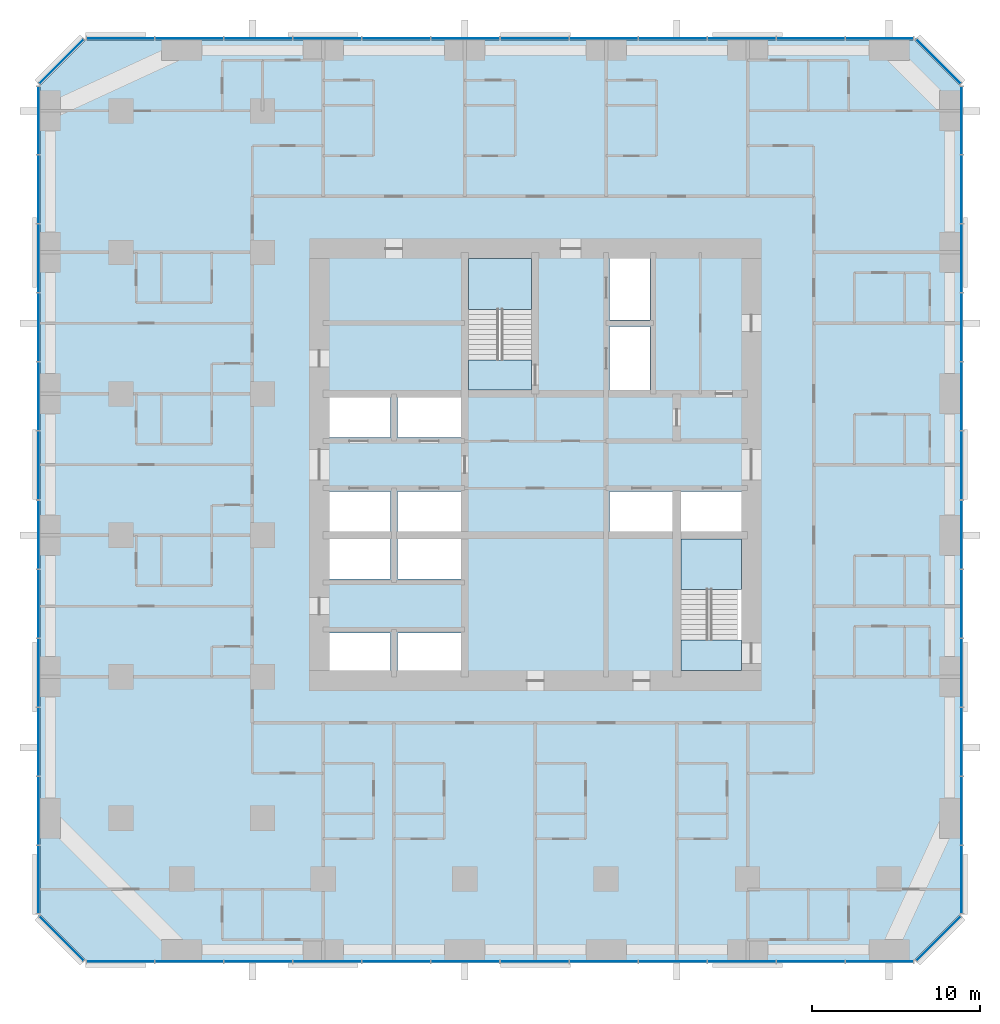
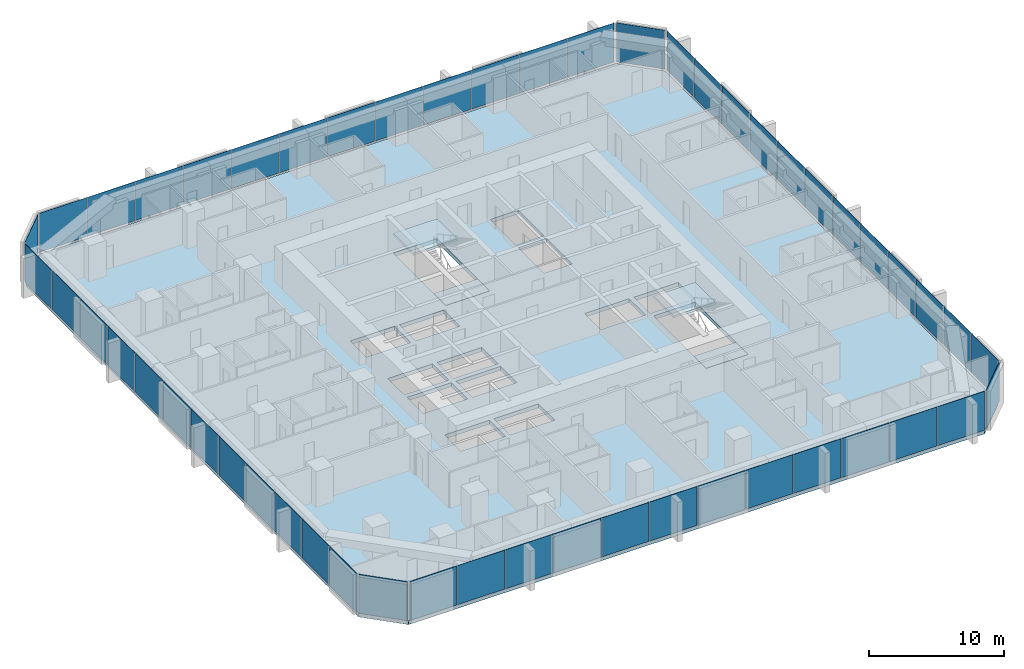
# One storey, part 7 of 14: 52 plates, 5 slabs, 10 elements without a shape of their own.
"""IFC4 building model written with IfcOpenShell, lengths in metres."""

from ifc_helpers import new_model, si_unit, direction, frame, origin, origin_2d, place, context, subcontext, project, spatial, polyline, rectangle, outline, extrude, material, layer, layer_set, type_object, element, aggregate, save


model = new_model("IFC4")

# Units and contexts
model_context = context("Model", 3, precision=1e-05, world=origin(), true_north=direction((0.0, 1.0)))
body_context = subcontext(model_context, "Body", "Model", "MODEL_VIEW")
ifc_project = project(units=[si_unit("LENGTHUNIT", "METRE"), si_unit("AREAUNIT", "SQUARE_METRE"), si_unit("VOLUMEUNIT", "CUBIC_METRE"), si_unit("PLANEANGLEUNIT", "RADIAN"), si_unit("MASSUNIT", "GRAM", prefix="KILO")], contexts=[model_context])

# Site, building, storey
site_placement = place(None, origin())
site = spatial("IfcSite", under=ifc_project, at=site_placement, CompositionType="ELEMENT")
building_placement = place(site_placement, origin())
building = spatial("IfcBuilding", under=site, at=building_placement, Name="Dunama Terrace Hotel", CompositionType="ELEMENT")
storey_placement = place(building_placement, frame((0.0, 0.0, 108.0)))
storey = spatial("IfcBuildingStorey", under=building, at=storey_placement, Name="L27", CompositionType="ELEMENT", Elevation=108.0)

# Curtain wall, plates
ifc_material_1 = material(Name="Aluminium curtain wall system", Category="aluminium")
curtain_wall_type = type_object("IfcCurtainWallType", Name="Unitised fritted glass wall CW-B", PredefinedType="NOTDEFINED", material=ifc_material_1)
curtain_wall_1_placement = place(storey_placement, origin())
curtain_wall_1 = element("IfcCurtainWall", 1, at=curtain_wall_1_placement, inside=storey, type_object=curtain_wall_type, Name="Unitised fritted glass wall CW-B L27", PredefinedType="NOTDEFINED")
ifc_material_2 = material(Name="Laminated glass", Category="glass")
ifc_layer_1 = layer(ifc_material_2, 0.030029296875)
ifc_layer_set_1 = layer_set([ifc_layer_1], Name="CWB clear glass panel")
plate_type_1 = type_object("IfcPlateType", Name="CWB clear glass panel", PredefinedType="CURTAIN_PANEL", material=ifc_layer_set_1)
plate_1_placement = place(storey_placement, frame((8.85009765625, -0.110107421875, 0.080078125), z_axis=(0.0, 0.0, 1.0), x_axis=(1.0, 0.0, 0.0)))
plate_1 = element("IfcPlate", 2, at=plate_1_placement, type_object=plate_type_1, Name="CWB clear glass panel", PredefinedType="CURTAIN_PANEL", context=body_context, shape_type="SweptSolid", body=[
    extrude(rectangle(XDim=4.034912109375, YDim=0.030029296875, at=origin_2d()), origin(), (0.0, 0.0, 1.0), 3.52001953125),
])
plate_2_placement = place(storey_placement, frame((21.14990234375, -0.110107421875, 0.080078125), z_axis=(0.0, 0.0, 1.0), x_axis=(1.0, 0.0, 0.0)))
plate_2 = element("IfcPlate", 3, at=plate_2_placement, type_object=plate_type_1, Name="CWB clear glass panel", PredefinedType="CURTAIN_PANEL", context=body_context, shape_type="SweptSolid", body=[
    extrude(rectangle(XDim=4.034912109375, YDim=0.030029296875, at=origin_2d()), origin(), (0.0, 0.0, 1.0), 3.52001953125),
])
plate_3_placement = place(storey_placement, frame((33.449951171875, -0.110107421875, 0.080078125), z_axis=(0.0, 0.0, 1.0), x_axis=(1.0, 0.0, 0.0)))
plate_3 = element("IfcPlate", 4, at=plate_3_placement, type_object=plate_type_1, Name="CWB clear glass panel", PredefinedType="CURTAIN_PANEL", context=body_context, shape_type="SweptSolid", body=[
    extrude(rectangle(XDim=4.034912109375, YDim=0.030029296875, at=origin_2d()), origin(), (0.0, 0.0, 1.0), 3.52001953125),
])
plate_4_placement = place(storey_placement, frame((45.75, -0.110107421875, 0.080078125), z_axis=(0.0, 0.0, 1.0), x_axis=(1.0, 0.0, 0.0)))
plate_4 = element("IfcPlate", 5, at=plate_4_placement, type_object=plate_type_1, Name="CWB clear glass panel", PredefinedType="CURTAIN_PANEL", context=body_context, shape_type="SweptSolid", body=[
    extrude(rectangle(XDim=4.034912109375, YDim=0.030029296875, at=origin_2d()), origin(), (0.0, 0.0, 1.0), 3.52001953125),
])

curtain_wall_2_placement = place(storey_placement, origin())
curtain_wall_2 = element("IfcCurtainWall", 6, at=curtain_wall_2_placement, inside=storey, type_object=curtain_wall_type, Name="Unitised fritted glass wall CW-B L27", PredefinedType="NOTDEFINED")
plate_5_placement = place(storey_placement, frame((54.7099609375, 4.76611328125, 0.080078125), z_axis=(0.0, 0.0, 1.0), x_axis=(0.0, 1.0, 0.0)))
plate_5 = element("IfcPlate", 7, at=plate_5_placement, type_object=plate_type_1, Name="CWB clear glass panel", PredefinedType="CURTAIN_PANEL", context=body_context, shape_type="SweptSolid", body=[
    extrude(rectangle(XDim=4.00244140625, YDim=0.030029296875, at=origin_2d()), origin(), (0.0, 0.0, 1.0), 3.52001953125),
])
plate_6_placement = place(storey_placement, frame((54.7099609375, 17.050048828125, 0.080078125), z_axis=(0.0, 0.0, 1.0), x_axis=(0.0, 1.0, 0.0)))
plate_6 = element("IfcPlate", 8, at=plate_6_placement, type_object=plate_type_1, Name="CWB clear glass panel", PredefinedType="CURTAIN_PANEL", context=body_context, shape_type="SweptSolid", body=[
    extrude(rectangle(XDim=4.034912109375, YDim=0.030029296875, at=origin_2d()), origin(), (0.0, 0.0, 1.0), 3.52001953125),
])
plate_7_placement = place(storey_placement, frame((54.7099609375, 29.35009765625, 0.080078125), z_axis=(0.0, 0.0, 1.0), x_axis=(0.0, 1.0, 0.0)))
plate_7 = element("IfcPlate", 9, at=plate_7_placement, type_object=plate_type_1, Name="CWB clear glass panel", PredefinedType="CURTAIN_PANEL", context=body_context, shape_type="SweptSolid", body=[
    extrude(rectangle(XDim=4.034912109375, YDim=0.030029296875, at=origin_2d()), origin(), (0.0, 0.0, 1.0), 3.52001953125),
])
plate_8_placement = place(storey_placement, frame((54.7099609375, 41.64990234375, 0.080078125), z_axis=(0.0, 0.0, 1.0), x_axis=(0.0, 1.0, 0.0)))
plate_8 = element("IfcPlate", 10, at=plate_8_placement, type_object=plate_type_1, Name="CWB clear glass panel", PredefinedType="CURTAIN_PANEL", context=body_context, shape_type="SweptSolid", body=[
    extrude(rectangle(XDim=4.034912109375, YDim=0.030029296875, at=origin_2d()), origin(), (0.0, 0.0, 1.0), 3.52001953125),
])

# Curtain wall, plate
curtain_wall_3_placement = place(storey_placement, origin())
curtain_wall_3 = element("IfcCurtainWall", 11, at=curtain_wall_3_placement, inside=storey, type_object=curtain_wall_type, Name="Unitised fritted glass wall CW-B L27", PredefinedType="NOTDEFINED")
plate_9_placement = place(storey_placement, frame((53.327880859375, 53.327880859375, 0.080078125), z_axis=(0.0, 0.0, 1.0), x_axis=(-0.707106781187, 0.707106781187, 0.0)))
plate_9 = element("IfcPlate", 12, at=plate_9_placement, type_object=plate_type_1, Name="CWB clear glass panel", PredefinedType="CURTAIN_PANEL", context=body_context, shape_type="SweptSolid", body=[
    extrude(rectangle(XDim=3.6884765625, YDim=0.030029296875, at=origin_2d()), origin(), (0.0, 0.0, 1.0), 3.52001953125),
])
aggregate(curtain_wall_3, [plate_9])

# Curtain wall, plates
curtain_wall_4_placement = place(storey_placement, origin())
curtain_wall_4 = element("IfcCurtainWall", 13, at=curtain_wall_4_placement, inside=storey, type_object=curtain_wall_type, Name="Unitised fritted glass wall CW-B L27", PredefinedType="NOTDEFINED")
plate_10_placement = place(storey_placement, frame((41.64990234375, 54.7099609375, 0.080078125), z_axis=(0.0, 0.0, 1.0), x_axis=(-1.0, 0.0, 0.0)))
plate_10 = element("IfcPlate", 14, at=plate_10_placement, type_object=plate_type_1, Name="CWB clear glass panel", PredefinedType="CURTAIN_PANEL", context=body_context, shape_type="SweptSolid", body=[
    extrude(rectangle(XDim=4.034912109375, YDim=0.030029296875, at=origin_2d()), origin(), (0.0, 0.0, 1.0), 3.52001953125),
])
plate_11_placement = place(storey_placement, frame((29.35009765625, 54.7099609375, 0.080078125), z_axis=(0.0, 0.0, 1.0), x_axis=(-1.0, 0.0, 0.0)))
plate_11 = element("IfcPlate", 15, at=plate_11_placement, type_object=plate_type_1, Name="CWB clear glass panel", PredefinedType="CURTAIN_PANEL", context=body_context, shape_type="SweptSolid", body=[
    extrude(rectangle(XDim=4.034912109375, YDim=0.030029296875, at=origin_2d()), origin(), (0.0, 0.0, 1.0), 3.52001953125),
])
plate_12_placement = place(storey_placement, frame((17.050048828125, 54.7099609375, 0.080078125), z_axis=(0.0, 0.0, 1.0), x_axis=(-1.0, 0.0, 0.0)))
plate_12 = element("IfcPlate", 16, at=plate_12_placement, type_object=plate_type_1, Name="CWB clear glass panel", PredefinedType="CURTAIN_PANEL", context=body_context, shape_type="SweptSolid", body=[
    extrude(rectangle(XDim=4.034912109375, YDim=0.030029296875, at=origin_2d()), origin(), (0.0, 0.0, 1.0), 3.52001953125),
])
plate_13_placement = place(storey_placement, frame((4.76611328125, 54.7099609375, 0.080078125), z_axis=(0.0, 0.0, 1.0), x_axis=(-1.0, 0.0, 0.0)))
plate_13 = element("IfcPlate", 17, at=plate_13_placement, type_object=plate_type_1, Name="CWB clear glass panel", PredefinedType="CURTAIN_PANEL", context=body_context, shape_type="SweptSolid", body=[
    extrude(rectangle(XDim=4.00244140625, YDim=0.030029296875, at=origin_2d()), origin(), (0.0, 0.0, 1.0), 3.52001953125),
])

curtain_wall_5_placement = place(storey_placement, origin())
curtain_wall_5 = element("IfcCurtainWall", 18, at=curtain_wall_5_placement, inside=storey, type_object=curtain_wall_type, Name="Unitised fritted glass wall CW-B L27", PredefinedType="NOTDEFINED")
plate_14_placement = place(storey_placement, frame((-0.110107421875, 45.75, 0.080078125), z_axis=(0.0, 0.0, 1.0), x_axis=(0.0, -1.0, 0.0)))
plate_14 = element("IfcPlate", 19, at=plate_14_placement, type_object=plate_type_1, Name="CWB clear glass panel", PredefinedType="CURTAIN_PANEL", context=body_context, shape_type="SweptSolid", body=[
    extrude(rectangle(XDim=4.034912109375, YDim=0.030029296875, at=origin_2d()), origin(), (0.0, 0.0, 1.0), 3.52001953125),
])
plate_15_placement = place(storey_placement, frame((-0.110107421875, 33.449951171875, 0.080078125), z_axis=(0.0, 0.0, 1.0), x_axis=(0.0, -1.0, 0.0)))
plate_15 = element("IfcPlate", 20, at=plate_15_placement, type_object=plate_type_1, Name="CWB clear glass panel", PredefinedType="CURTAIN_PANEL", context=body_context, shape_type="SweptSolid", body=[
    extrude(rectangle(XDim=4.034912109375, YDim=0.030029296875, at=origin_2d()), origin(), (0.0, 0.0, 1.0), 3.52001953125),
])
plate_16_placement = place(storey_placement, frame((-0.110107421875, 21.14990234375, 0.080078125), z_axis=(0.0, 0.0, 1.0), x_axis=(0.0, -1.0, 0.0)))
plate_16 = element("IfcPlate", 21, at=plate_16_placement, type_object=plate_type_1, Name="CWB clear glass panel", PredefinedType="CURTAIN_PANEL", context=body_context, shape_type="SweptSolid", body=[
    extrude(rectangle(XDim=4.034912109375, YDim=0.030029296875, at=origin_2d()), origin(), (0.0, 0.0, 1.0), 3.52001953125),
])
plate_17_placement = place(storey_placement, frame((-0.110107421875, 8.85009765625, 0.080078125), z_axis=(0.0, 0.0, 1.0), x_axis=(0.0, -1.0, 0.0)))
plate_17 = element("IfcPlate", 22, at=plate_17_placement, type_object=plate_type_1, Name="CWB clear glass panel", PredefinedType="CURTAIN_PANEL", context=body_context, shape_type="SweptSolid", body=[
    extrude(rectangle(XDim=4.034912109375, YDim=0.030029296875, at=origin_2d()), origin(), (0.0, 0.0, 1.0), 3.52001953125),
])

# Plate
ifc_material_3 = material(Name="Fritted laminated glass", Category="glass")
ifc_layer_2 = layer(ifc_material_3, 0.030029296875)
ifc_layer_set_2 = layer_set([ifc_layer_2], Name="CWB fritted glass panel")
plate_type_2 = type_object("IfcPlateType", Name="CWB fritted glass panel", PredefinedType="CURTAIN_PANEL", material=ifc_layer_set_2)
plate_18_placement = place(storey_placement, frame((4.76611328125, -0.110107421875, 0.080078125), z_axis=(0.0, 0.0, 1.0), x_axis=(1.0, 0.0, 0.0)))
plate_18 = element("IfcPlate", 23, at=plate_18_placement, type_object=plate_type_2, Name="CWB fritted glass panel", PredefinedType="CURTAIN_PANEL", context=body_context, shape_type="SweptSolid", body=[
    extrude(rectangle(XDim=4.00244140625, YDim=0.030029296875, at=origin_2d()), origin(), (0.0, 0.0, 1.0), 3.52001953125),
])

plate_19_placement = place(storey_placement, frame((17.050048828125, -0.110107421875, 0.080078125), z_axis=(0.0, 0.0, 1.0), x_axis=(1.0, 0.0, 0.0)))
plate_19 = element("IfcPlate", 24, at=plate_19_placement, type_object=plate_type_2, Name="CWB fritted glass panel", PredefinedType="CURTAIN_PANEL", context=body_context, shape_type="SweptSolid", body=[
    extrude(rectangle(XDim=4.034912109375, YDim=0.030029296875, at=origin_2d()), origin(), (0.0, 0.0, 1.0), 3.52001953125),
])

plate_20_placement = place(storey_placement, frame((29.35009765625, -0.110107421875, 0.080078125), z_axis=(0.0, 0.0, 1.0), x_axis=(1.0, 0.0, 0.0)))
plate_20 = element("IfcPlate", 25, at=plate_20_placement, type_object=plate_type_2, Name="CWB fritted glass panel", PredefinedType="CURTAIN_PANEL", context=body_context, shape_type="SweptSolid", body=[
    extrude(rectangle(XDim=4.034912109375, YDim=0.030029296875, at=origin_2d()), origin(), (0.0, 0.0, 1.0), 3.52001953125),
])

plate_21_placement = place(storey_placement, frame((41.64990234375, -0.110107421875, 0.080078125), z_axis=(0.0, 0.0, 1.0), x_axis=(1.0, 0.0, 0.0)))
plate_21 = element("IfcPlate", 26, at=plate_21_placement, type_object=plate_type_2, Name="CWB fritted glass panel", PredefinedType="CURTAIN_PANEL", context=body_context, shape_type="SweptSolid", body=[
    extrude(rectangle(XDim=4.034912109375, YDim=0.030029296875, at=origin_2d()), origin(), (0.0, 0.0, 1.0), 3.52001953125),
])

# Curtain wall, plate
curtain_wall_6_placement = place(storey_placement, origin())
curtain_wall_6 = element("IfcCurtainWall", 27, at=curtain_wall_6_placement, inside=storey, type_object=curtain_wall_type, Name="Unitised fritted glass wall CW-B L27", PredefinedType="NOTDEFINED")
plate_22_placement = place(storey_placement, frame((53.327880859375, 1.27197265625, 0.080078125), z_axis=(0.0, 0.0, 1.0), x_axis=(0.707106781187, 0.707106781187, 0.0)))
plate_22 = element("IfcPlate", 28, at=plate_22_placement, type_object=plate_type_2, Name="CWB fritted glass panel", PredefinedType="CURTAIN_PANEL", context=body_context, shape_type="SweptSolid", body=[
    extrude(rectangle(XDim=3.6884765625, YDim=0.030029296875, at=origin_2d()), origin(), (0.0, 0.0, 1.0), 3.52001953125),
])
aggregate(curtain_wall_6, [plate_22])

# Plate
plate_23_placement = place(storey_placement, frame((54.7099609375, 12.949951171875, 0.080078125), z_axis=(0.0, 0.0, 1.0), x_axis=(0.0, 1.0, 0.0)))
plate_23 = element("IfcPlate", 29, at=plate_23_placement, type_object=plate_type_2, Name="CWB fritted glass panel", PredefinedType="CURTAIN_PANEL", context=body_context, shape_type="SweptSolid", body=[
    extrude(rectangle(XDim=4.034912109375, YDim=0.030029296875, at=origin_2d()), origin(), (0.0, 0.0, 1.0), 3.52001953125),
])

plate_24_placement = place(storey_placement, frame((54.7099609375, 25.25, 0.080078125), z_axis=(0.0, 0.0, 1.0), x_axis=(0.0, 1.0, 0.0)))
plate_24 = element("IfcPlate", 30, at=plate_24_placement, type_object=plate_type_2, Name="CWB fritted glass panel", PredefinedType="CURTAIN_PANEL", context=body_context, shape_type="SweptSolid", body=[
    extrude(rectangle(XDim=4.034912109375, YDim=0.030029296875, at=origin_2d()), origin(), (0.0, 0.0, 1.0), 3.52001953125),
])

plate_25_placement = place(storey_placement, frame((54.7099609375, 37.550048828125, 0.080078125), z_axis=(0.0, 0.0, 1.0), x_axis=(0.0, 1.0, 0.0)))
plate_25 = element("IfcPlate", 31, at=plate_25_placement, type_object=plate_type_2, Name="CWB fritted glass panel", PredefinedType="CURTAIN_PANEL", context=body_context, shape_type="SweptSolid", body=[
    extrude(rectangle(XDim=4.034912109375, YDim=0.030029296875, at=origin_2d()), origin(), (0.0, 0.0, 1.0), 3.52001953125),
])

plate_26_placement = place(storey_placement, frame((54.7099609375, 49.833984375, 0.080078125), z_axis=(0.0, 0.0, 1.0), x_axis=(0.0, 1.0, 0.0)))
plate_26 = element("IfcPlate", 32, at=plate_26_placement, type_object=plate_type_2, Name="CWB fritted glass panel", PredefinedType="CURTAIN_PANEL", context=body_context, shape_type="SweptSolid", body=[
    extrude(rectangle(XDim=4.00244140625, YDim=0.030029296875, at=origin_2d()), origin(), (0.0, 0.0, 1.0), 3.52001953125),
])

plate_27_placement = place(storey_placement, frame((45.75, 54.7099609375, 0.080078125), z_axis=(0.0, 0.0, 1.0), x_axis=(-1.0, 0.0, 0.0)))
plate_27 = element("IfcPlate", 33, at=plate_27_placement, type_object=plate_type_2, Name="CWB fritted glass panel", PredefinedType="CURTAIN_PANEL", context=body_context, shape_type="SweptSolid", body=[
    extrude(rectangle(XDim=4.034912109375, YDim=0.030029296875, at=origin_2d()), origin(), (0.0, 0.0, 1.0), 3.52001953125),
])

plate_28_placement = place(storey_placement, frame((33.449951171875, 54.7099609375, 0.080078125), z_axis=(0.0, 0.0, 1.0), x_axis=(-1.0, 0.0, 0.0)))
plate_28 = element("IfcPlate", 34, at=plate_28_placement, type_object=plate_type_2, Name="CWB fritted glass panel", PredefinedType="CURTAIN_PANEL", context=body_context, shape_type="SweptSolid", body=[
    extrude(rectangle(XDim=4.034912109375, YDim=0.030029296875, at=origin_2d()), origin(), (0.0, 0.0, 1.0), 3.52001953125),
])

plate_29_placement = place(storey_placement, frame((21.14990234375, 54.7099609375, 0.080078125), z_axis=(0.0, 0.0, 1.0), x_axis=(-1.0, 0.0, 0.0)))
plate_29 = element("IfcPlate", 35, at=plate_29_placement, type_object=plate_type_2, Name="CWB fritted glass panel", PredefinedType="CURTAIN_PANEL", context=body_context, shape_type="SweptSolid", body=[
    extrude(rectangle(XDim=4.034912109375, YDim=0.030029296875, at=origin_2d()), origin(), (0.0, 0.0, 1.0), 3.52001953125),
])

plate_30_placement = place(storey_placement, frame((8.85009765625, 54.7099609375, 0.080078125), z_axis=(0.0, 0.0, 1.0), x_axis=(-1.0, 0.0, 0.0)))
plate_30 = element("IfcPlate", 36, at=plate_30_placement, type_object=plate_type_2, Name="CWB fritted glass panel", PredefinedType="CURTAIN_PANEL", context=body_context, shape_type="SweptSolid", body=[
    extrude(rectangle(XDim=4.034912109375, YDim=0.030029296875, at=origin_2d()), origin(), (0.0, 0.0, 1.0), 3.52001953125),
])

plate_31_placement = place(storey_placement, frame((-0.110107421875, 49.833984375, 0.080078125), z_axis=(0.0, 0.0, 1.0), x_axis=(0.0, -1.0, 0.0)))
plate_31 = element("IfcPlate", 37, at=plate_31_placement, type_object=plate_type_2, Name="CWB fritted glass panel", PredefinedType="CURTAIN_PANEL", context=body_context, shape_type="SweptSolid", body=[
    extrude(rectangle(XDim=4.00244140625, YDim=0.030029296875, at=origin_2d()), origin(), (0.0, 0.0, 1.0), 3.52001953125),
])

plate_32_placement = place(storey_placement, frame((-0.110107421875, 37.550048828125, 0.080078125), z_axis=(0.0, 0.0, 1.0), x_axis=(0.0, -1.0, 0.0)))
plate_32 = element("IfcPlate", 38, at=plate_32_placement, type_object=plate_type_2, Name="CWB fritted glass panel", PredefinedType="CURTAIN_PANEL", context=body_context, shape_type="SweptSolid", body=[
    extrude(rectangle(XDim=4.034912109375, YDim=0.030029296875, at=origin_2d()), origin(), (0.0, 0.0, 1.0), 3.52001953125),
])

plate_33_placement = place(storey_placement, frame((-0.110107421875, 25.25, 0.080078125), z_axis=(0.0, 0.0, 1.0), x_axis=(0.0, -1.0, 0.0)))
plate_33 = element("IfcPlate", 39, at=plate_33_placement, type_object=plate_type_2, Name="CWB fritted glass panel", PredefinedType="CURTAIN_PANEL", context=body_context, shape_type="SweptSolid", body=[
    extrude(rectangle(XDim=4.034912109375, YDim=0.030029296875, at=origin_2d()), origin(), (0.0, 0.0, 1.0), 3.52001953125),
])

plate_34_placement = place(storey_placement, frame((-0.110107421875, 12.949951171875, 0.080078125), z_axis=(0.0, 0.0, 1.0), x_axis=(0.0, -1.0, 0.0)))
plate_34 = element("IfcPlate", 40, at=plate_34_placement, type_object=plate_type_2, Name="CWB fritted glass panel", PredefinedType="CURTAIN_PANEL", context=body_context, shape_type="SweptSolid", body=[
    extrude(rectangle(XDim=4.034912109375, YDim=0.030029296875, at=origin_2d()), origin(), (0.0, 0.0, 1.0), 3.52001953125),
])

# Curtain wall, plate
curtain_wall_7_placement = place(storey_placement, origin())
curtain_wall_7 = element("IfcCurtainWall", 41, at=curtain_wall_7_placement, inside=storey, type_object=curtain_wall_type, Name="Unitised fritted glass wall CW-B L27", PredefinedType="NOTDEFINED")
plate_35_placement = place(storey_placement, frame((1.27197265625, 1.27197265625, 0.080078125), z_axis=(0.0, 0.0, 1.0), x_axis=(0.707106781187, -0.707106781187, 0.0)))
plate_35 = element("IfcPlate", 42, at=plate_35_placement, type_object=plate_type_2, Name="CWB fritted glass panel", PredefinedType="CURTAIN_PANEL", context=body_context, shape_type="SweptSolid", body=[
    extrude(rectangle(XDim=3.6884765625, YDim=0.030029296875, at=origin_2d()), origin(), (0.0, 0.0, 1.0), 3.52001953125),
])
aggregate(curtain_wall_7, [plate_35])

# Plate
ifc_material_4 = material(Name="Laminated glass", Category="glass")
ifc_layer_3 = layer(ifc_material_4, 0.030029296875)
ifc_layer_set_3 = layer_set([ifc_layer_3], Name="CWB operable glass panel")
plate_type_3 = type_object("IfcPlateType", Name="CWB operable glass panel", PredefinedType="CURTAIN_PANEL", material=ifc_layer_set_3)
plate_36_placement = place(storey_placement, frame((12.949951171875, -0.110107421875, 0.080078125), z_axis=(0.0, 0.0, 1.0), x_axis=(1.0, 0.0, 0.0)))
plate_36 = element("IfcPlate", 43, at=plate_36_placement, type_object=plate_type_3, Name="CWB operable glass panel", PredefinedType="CURTAIN_PANEL", context=body_context, shape_type="SweptSolid", body=[
    extrude(rectangle(XDim=4.034912109375, YDim=0.030029296875, at=origin_2d()), origin(), (0.0, 0.0, 1.0), 3.52001953125),
])

plate_37_placement = place(storey_placement, frame((25.25, -0.110107421875, 0.080078125), z_axis=(0.0, 0.0, 1.0), x_axis=(1.0, 0.0, 0.0)))
plate_37 = element("IfcPlate", 44, at=plate_37_placement, type_object=plate_type_3, Name="CWB operable glass panel", PredefinedType="CURTAIN_PANEL", context=body_context, shape_type="SweptSolid", body=[
    extrude(rectangle(XDim=4.034912109375, YDim=0.030029296875, at=origin_2d()), origin(), (0.0, 0.0, 1.0), 3.52001953125),
])

plate_38_placement = place(storey_placement, frame((37.550048828125, -0.110107421875, 0.080078125), z_axis=(0.0, 0.0, 1.0), x_axis=(1.0, 0.0, 0.0)))
plate_38 = element("IfcPlate", 45, at=plate_38_placement, type_object=plate_type_3, Name="CWB operable glass panel", PredefinedType="CURTAIN_PANEL", context=body_context, shape_type="SweptSolid", body=[
    extrude(rectangle(XDim=4.034912109375, YDim=0.030029296875, at=origin_2d()), origin(), (0.0, 0.0, 1.0), 3.52001953125),
])

plate_39_placement = place(storey_placement, frame((49.833984375, -0.110107421875, 0.080078125), z_axis=(0.0, 0.0, 1.0), x_axis=(1.0, 0.0, 0.0)))
plate_39 = element("IfcPlate", 46, at=plate_39_placement, type_object=plate_type_3, Name="CWB operable glass panel", PredefinedType="CURTAIN_PANEL", context=body_context, shape_type="SweptSolid", body=[
    extrude(rectangle(XDim=4.00244140625, YDim=0.030029296875, at=origin_2d()), origin(), (0.0, 0.0, 1.0), 3.52001953125),
])

aggregate(curtain_wall_1, [plate_18, plate_1, plate_36, plate_19, plate_2, plate_37, plate_20, plate_3, plate_38, plate_21, plate_4, plate_39])

plate_40_placement = place(storey_placement, frame((54.7099609375, 8.85009765625, 0.080078125), z_axis=(0.0, 0.0, 1.0), x_axis=(0.0, 1.0, 0.0)))
plate_40 = element("IfcPlate", 47, at=plate_40_placement, type_object=plate_type_3, Name="CWB operable glass panel", PredefinedType="CURTAIN_PANEL", context=body_context, shape_type="SweptSolid", body=[
    extrude(rectangle(XDim=4.034912109375, YDim=0.030029296875, at=origin_2d()), origin(), (0.0, 0.0, 1.0), 3.52001953125),
])

plate_41_placement = place(storey_placement, frame((54.7099609375, 21.14990234375, 0.080078125), z_axis=(0.0, 0.0, 1.0), x_axis=(0.0, 1.0, 0.0)))
plate_41 = element("IfcPlate", 48, at=plate_41_placement, type_object=plate_type_3, Name="CWB operable glass panel", PredefinedType="CURTAIN_PANEL", context=body_context, shape_type="SweptSolid", body=[
    extrude(rectangle(XDim=4.034912109375, YDim=0.030029296875, at=origin_2d()), origin(), (0.0, 0.0, 1.0), 3.52001953125),
])

plate_42_placement = place(storey_placement, frame((54.7099609375, 33.449951171875, 0.080078125), z_axis=(0.0, 0.0, 1.0), x_axis=(0.0, 1.0, 0.0)))
plate_42 = element("IfcPlate", 49, at=plate_42_placement, type_object=plate_type_3, Name="CWB operable glass panel", PredefinedType="CURTAIN_PANEL", context=body_context, shape_type="SweptSolid", body=[
    extrude(rectangle(XDim=4.034912109375, YDim=0.030029296875, at=origin_2d()), origin(), (0.0, 0.0, 1.0), 3.52001953125),
])

plate_43_placement = place(storey_placement, frame((54.7099609375, 45.75, 0.080078125), z_axis=(0.0, 0.0, 1.0), x_axis=(0.0, 1.0, 0.0)))
plate_43 = element("IfcPlate", 50, at=plate_43_placement, type_object=plate_type_3, Name="CWB operable glass panel", PredefinedType="CURTAIN_PANEL", context=body_context, shape_type="SweptSolid", body=[
    extrude(rectangle(XDim=4.034912109375, YDim=0.030029296875, at=origin_2d()), origin(), (0.0, 0.0, 1.0), 3.52001953125),
])

aggregate(curtain_wall_2, [plate_5, plate_40, plate_23, plate_6, plate_41, plate_24, plate_7, plate_42, plate_25, plate_8, plate_43, plate_26])

plate_44_placement = place(storey_placement, frame((49.833984375, 54.7099609375, 0.080078125), z_axis=(0.0, 0.0, 1.0), x_axis=(-1.0, 0.0, 0.0)))
plate_44 = element("IfcPlate", 51, at=plate_44_placement, type_object=plate_type_3, Name="CWB operable glass panel", PredefinedType="CURTAIN_PANEL", context=body_context, shape_type="SweptSolid", body=[
    extrude(rectangle(XDim=4.00244140625, YDim=0.030029296875, at=origin_2d()), origin(), (0.0, 0.0, 1.0), 3.52001953125),
])

plate_45_placement = place(storey_placement, frame((37.550048828125, 54.7099609375, 0.080078125), z_axis=(0.0, 0.0, 1.0), x_axis=(-1.0, 0.0, 0.0)))
plate_45 = element("IfcPlate", 52, at=plate_45_placement, type_object=plate_type_3, Name="CWB operable glass panel", PredefinedType="CURTAIN_PANEL", context=body_context, shape_type="SweptSolid", body=[
    extrude(rectangle(XDim=4.034912109375, YDim=0.030029296875, at=origin_2d()), origin(), (0.0, 0.0, 1.0), 3.52001953125),
])

plate_46_placement = place(storey_placement, frame((25.25, 54.7099609375, 0.080078125), z_axis=(0.0, 0.0, 1.0), x_axis=(-1.0, 0.0, 0.0)))
plate_46 = element("IfcPlate", 53, at=plate_46_placement, type_object=plate_type_3, Name="CWB operable glass panel", PredefinedType="CURTAIN_PANEL", context=body_context, shape_type="SweptSolid", body=[
    extrude(rectangle(XDim=4.034912109375, YDim=0.030029296875, at=origin_2d()), origin(), (0.0, 0.0, 1.0), 3.52001953125),
])

plate_47_placement = place(storey_placement, frame((12.949951171875, 54.7099609375, 0.080078125), z_axis=(0.0, 0.0, 1.0), x_axis=(-1.0, 0.0, 0.0)))
plate_47 = element("IfcPlate", 54, at=plate_47_placement, type_object=plate_type_3, Name="CWB operable glass panel", PredefinedType="CURTAIN_PANEL", context=body_context, shape_type="SweptSolid", body=[
    extrude(rectangle(XDim=4.034912109375, YDim=0.030029296875, at=origin_2d()), origin(), (0.0, 0.0, 1.0), 3.52001953125),
])

aggregate(curtain_wall_4, [plate_44, plate_27, plate_10, plate_45, plate_28, plate_11, plate_46, plate_29, plate_12, plate_47, plate_30, plate_13])

# Curtain wall, plate
curtain_wall_8_placement = place(storey_placement, origin())
curtain_wall_8 = element("IfcCurtainWall", 55, at=curtain_wall_8_placement, inside=storey, type_object=curtain_wall_type, Name="Unitised fritted glass wall CW-B L27", PredefinedType="NOTDEFINED")
plate_48_placement = place(storey_placement, frame((1.27197265625, 53.327880859375, 0.080078125), z_axis=(0.0, 0.0, 1.0), x_axis=(-0.707106781187, -0.707106781187, 0.0)))
plate_48 = element("IfcPlate", 56, at=plate_48_placement, type_object=plate_type_3, Name="CWB operable glass panel", PredefinedType="CURTAIN_PANEL", context=body_context, shape_type="SweptSolid", body=[
    extrude(rectangle(XDim=3.6884765625, YDim=0.030029296875, at=origin_2d()), origin(), (0.0, 0.0, 1.0), 3.52001953125),
])
aggregate(curtain_wall_8, [plate_48])

# Plate
plate_49_placement = place(storey_placement, frame((-0.110107421875, 41.64990234375, 0.080078125), z_axis=(0.0, 0.0, 1.0), x_axis=(0.0, -1.0, 0.0)))
plate_49 = element("IfcPlate", 57, at=plate_49_placement, type_object=plate_type_3, Name="CWB operable glass panel", PredefinedType="CURTAIN_PANEL", context=body_context, shape_type="SweptSolid", body=[
    extrude(rectangle(XDim=4.034912109375, YDim=0.030029296875, at=origin_2d()), origin(), (0.0, 0.0, 1.0), 3.52001953125),
])

plate_50_placement = place(storey_placement, frame((-0.110107421875, 29.35009765625, 0.080078125), z_axis=(0.0, 0.0, 1.0), x_axis=(0.0, -1.0, 0.0)))
plate_50 = element("IfcPlate", 58, at=plate_50_placement, type_object=plate_type_3, Name="CWB operable glass panel", PredefinedType="CURTAIN_PANEL", context=body_context, shape_type="SweptSolid", body=[
    extrude(rectangle(XDim=4.034912109375, YDim=0.030029296875, at=origin_2d()), origin(), (0.0, 0.0, 1.0), 3.52001953125),
])

plate_51_placement = place(storey_placement, frame((-0.110107421875, 17.050048828125, 0.080078125), z_axis=(0.0, 0.0, 1.0), x_axis=(0.0, -1.0, 0.0)))
plate_51 = element("IfcPlate", 59, at=plate_51_placement, type_object=plate_type_3, Name="CWB operable glass panel", PredefinedType="CURTAIN_PANEL", context=body_context, shape_type="SweptSolid", body=[
    extrude(rectangle(XDim=4.034912109375, YDim=0.030029296875, at=origin_2d()), origin(), (0.0, 0.0, 1.0), 3.52001953125),
])

plate_52_placement = place(storey_placement, frame((-0.110107421875, 4.76611328125, 0.080078125), z_axis=(0.0, 0.0, 1.0), x_axis=(0.0, -1.0, 0.0)))
plate_52 = element("IfcPlate", 60, at=plate_52_placement, type_object=plate_type_3, Name="CWB operable glass panel", PredefinedType="CURTAIN_PANEL", context=body_context, shape_type="SweptSolid", body=[
    extrude(rectangle(XDim=4.00244140625, YDim=0.030029296875, at=origin_2d()), origin(), (0.0, 0.0, 1.0), 3.52001953125),
])

aggregate(curtain_wall_5, [plate_31, plate_14, plate_49, plate_32, plate_15, plate_50, plate_33, plate_16, plate_51, plate_34, plate_17, plate_52])

# Slab
ifc_material_5 = material(Name="Concrete C40/50", Category="concrete")
ifc_layer_4 = layer(ifc_material_5, 0.35009765625)
ifc_layer_set_4 = layer_set([ifc_layer_4], Name="Flat plate 350")
slab_type_1 = type_object("IfcSlabType", Name="Flat plate 350", PredefinedType="FLOOR", material=ifc_layer_set_4)
slab_1_placement = place(storey_placement, frame((0.0, 0.0, -0.35009765625)))
element("IfcSlab", 61, at=slab_1_placement, inside=storey, type_object=slab_type_1, Name="Floor slab L27", PredefinedType="FLOOR", context=body_context, shape_type="SweptSolid", body=[
    extrude(outline(polyline([(2.699951171875, 0.0), (51.89990234375, 0.0), (54.60009765625, 2.699951171875), (54.60009765625, 51.89990234375), (51.89990234375, 54.60009765625), (2.699951171875, 54.60009765625), (0.0, 51.89990234375), (0.0, 2.699951171875), (2.699951171875, 0.0)]), holes=[polyline([(37.60009765625, 25.39990234375), (37.60009765625, 27.800048828125), (33.800048828125, 27.800048828125), (33.800048828125, 25.39990234375), (37.60009765625, 25.39990234375)]), polyline([(41.800048828125, 25.39990234375), (41.800048828125, 27.800048828125), (38.0, 27.800048828125), (38.0, 25.39990234375), (41.800048828125, 25.39990234375)]), polyline([(20.800048828125, 17.0), (20.800048828125, 19.39990234375), (17.0, 19.39990234375), (17.0, 17.0), (20.800048828125, 17.0)]), polyline([(25.0, 17.0), (25.0, 19.39990234375), (21.199951171875, 19.39990234375), (21.199951171875, 17.0), (25.0, 17.0)]), polyline([(20.800048828125, 22.60009765625), (20.800048828125, 25.0), (17.0, 25.0), (17.0, 22.60009765625), (20.800048828125, 22.60009765625)]), polyline([(25.0, 22.60009765625), (25.0, 25.0), (21.199951171875, 25.0), (21.199951171875, 22.60009765625), (25.0, 22.60009765625)]), polyline([(20.800048828125, 25.39990234375), (20.800048828125, 27.800048828125), (17.0, 27.800048828125), (17.0, 25.39990234375), (20.800048828125, 25.39990234375)]), polyline([(25.0, 25.39990234375), (25.0, 27.800048828125), (21.199951171875, 27.800048828125), (21.199951171875, 25.39990234375), (25.0, 25.39990234375)]), polyline([(20.800048828125, 31.0), (20.800048828125, 33.39990234375), (17.0, 33.39990234375), (17.0, 31.0), (20.800048828125, 31.0)]), polyline([(25.0, 31.0), (25.0, 33.39990234375), (21.199951171875, 33.39990234375), (21.199951171875, 31.0), (25.0, 31.0)]), polyline([(36.199951171875, 38.0), (36.199951171875, 41.800048828125), (33.800048828125, 41.800048828125), (33.800048828125, 38.0), (36.199951171875, 38.0)]), polyline([(36.199951171875, 33.800048828125), (36.199951171875, 37.60009765625), (33.800048828125, 37.60009765625), (33.800048828125, 33.800048828125), (36.199951171875, 33.800048828125)]), polyline([(29.175048828125, 33.824951171875), (29.175048828125, 41.625), (25.425048828125, 41.625), (25.425048828125, 33.824951171875), (29.175048828125, 33.824951171875)]), polyline([(41.625, 17.175048828125), (41.625, 24.97509765625), (38.050048828125, 24.97509765625), (38.050048828125, 17.175048828125), (41.625, 17.175048828125)])]), origin(), (0.0, 0.0, 1.0), 0.35009765625),
])

# Stair, slabs
ifc_material_6 = material(Name="Concrete C40/50", Category="concrete")
stair_type_1 = type_object("IfcStairType", Name="Stair ST1-3600-1800", PredefinedType="HALF_TURN_STAIR", material=ifc_material_6)
stair_1_placement = place(storey_placement, origin())
stair_1 = element("IfcStair", 62, at=stair_1_placement, inside=storey, type_object=stair_type_1, Name="Stair ST1 L27", PredefinedType="HALF_TURN_STAIR")
ifc_material_7 = material(Name="Concrete C40/50", Category="concrete")
ifc_layer_5 = layer(ifc_material_7, 0.199951171875)
ifc_layer_set_5 = layer_set([ifc_layer_5], Name="Stair landing 200")
slab_type_2 = type_object("IfcSlabType", Name="Stair landing 200", PredefinedType="LANDING", material=ifc_layer_set_5)
slab_2_placement = place(storey_placement, frame((0.0, 0.0, -0.199951171875)))
slab_2 = element("IfcSlab", 63, at=slab_2_placement, type_object=slab_type_2, Name="ST1 landing 1, type S10", PredefinedType="LANDING", context=body_context, shape_type="SweptSolid", body=[
    extrude(outline(polyline([(25.425048828125, 33.824951171875), (29.175048828125, 33.824951171875), (29.175048828125, 35.625), (25.425048828125, 35.625), (25.425048828125, 33.824951171875)])), origin(), (0.0, 0.0, 1.0), 0.199951171875),
])
slab_3_placement = place(storey_placement, frame((0.0, 0.0, 1.60009765625)))
slab_3 = element("IfcSlab", 64, at=slab_3_placement, type_object=slab_type_2, Name="ST1 landing 2, type S10", PredefinedType="LANDING", context=body_context, shape_type="SweptSolid", body=[
    extrude(outline(polyline([(25.425048828125, 38.625), (29.175048828125, 38.625), (29.175048828125, 41.625), (25.425048828125, 41.625), (25.425048828125, 38.625)])), origin(), (0.0, 0.0, 1.0), 0.199951171875),
])
aggregate(stair_1, [slab_2, slab_3])

ifc_material_8 = material(Name="Concrete C40/50", Category="concrete")
stair_type_2 = type_object("IfcStairType", Name="Stair ST2-3600-1600", PredefinedType="HALF_TURN_STAIR", material=ifc_material_8)
stair_2_placement = place(storey_placement, origin())
stair_2 = element("IfcStair", 65, at=stair_2_placement, inside=storey, type_object=stair_type_2, Name="Stair ST2 L27", PredefinedType="HALF_TURN_STAIR")
slab_4_placement = place(storey_placement, frame((0.0, 0.0, -0.199951171875)))
slab_4 = element("IfcSlab", 66, at=slab_4_placement, type_object=slab_type_2, Name="ST2 landing 1, type S10", PredefinedType="LANDING", context=body_context, shape_type="SweptSolid", body=[
    extrude(outline(polyline([(38.050048828125, 17.175048828125), (41.625, 17.175048828125), (41.625, 19.0), (38.050048828125, 19.0), (38.050048828125, 17.175048828125)])), origin(), (0.0, 0.0, 1.0), 0.199951171875),
])
slab_5_placement = place(storey_placement, frame((0.0, 0.0, 1.60009765625)))
slab_5 = element("IfcSlab", 67, at=slab_5_placement, type_object=slab_type_2, Name="ST2 landing 2, type S10", PredefinedType="LANDING", context=body_context, shape_type="SweptSolid", body=[
    extrude(outline(polyline([(38.050048828125, 22.0), (41.625, 22.0), (41.625, 24.97509765625), (38.050048828125, 24.97509765625), (38.050048828125, 22.0)])), origin(), (0.0, 0.0, 1.0), 0.199951171875),
])
aggregate(stair_2, [slab_4, slab_5])

save(model, "model.ifc")
